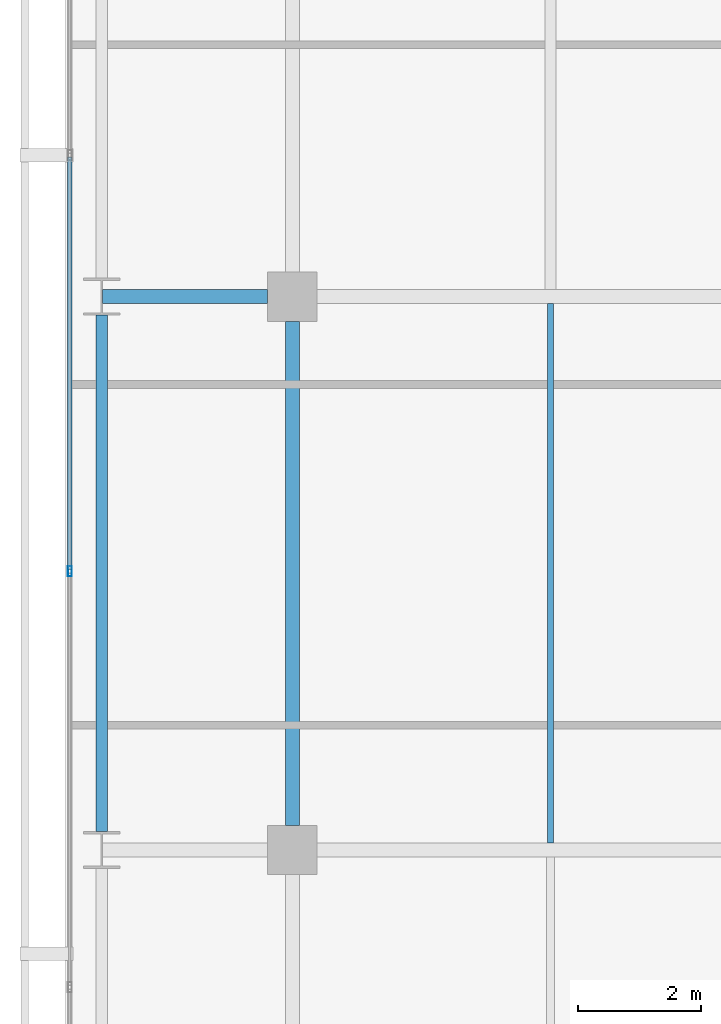
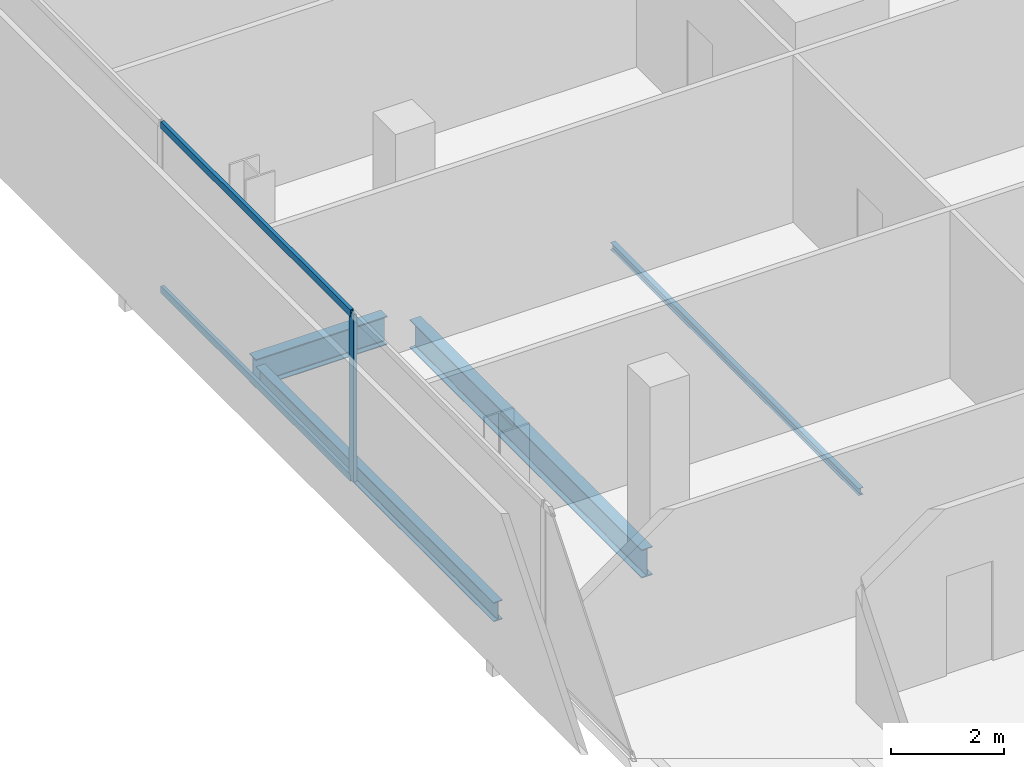
# One storey, part 8 of 33: 4 beams, 3 members, 1 element without a shape of its own.
"""IFC4 building model written with IfcOpenShell, lengths in metres."""

import ifcopenshell
import ifcopenshell.guid

model = None  # the IFC model being written
_history = None  # IfcOwnerHistory: only IFC2X3 demands one
_inside = {}  # id of a spatial element -> (the spatial element, [elements in it])
_under = {}  # id of a project, library or spatial element -> (it, [spatial elements below it])
_declared = {}  # id of a project -> (the project, [libraries it declares])
_typed = {}  # id of a type object -> (the type object, [elements of that type])
_made_of = {}  # id of a material, layer set ... -> (it, [elements and type objects made of it])


def new_model(schema):
    """Start an empty IFC model of exactly this schema.

    Asked for "IFC4X3", IfcOpenShell would pick the latest addendum, in which some entities
    have other attributes; the version numbers below select the first issue.
    IFC2X3 requires an IfcOwnerHistory on every rooted entity: one is made here for all.
    """
    global model, _history
    if schema == "IFC4X3":
        model = ifcopenshell.file(schema_version=(4, 3, 0, 0))
    else:
        model = ifcopenshell.file(schema=schema)
    _inside.clear()
    _under.clear()
    _declared.clear()
    _typed.clear()
    _made_of.clear()
    _history = None
    if model.schema == "IFC2X3":
        org = make("IfcOrganization", Name="unknown")
        user = make(
            "IfcPersonAndOrganization",
            ThePerson=make("IfcPerson", FamilyName="unknown"),
            TheOrganization=org,
        )
        app = make(
            "IfcApplication",
            ApplicationDeveloper=org,
            Version="unknown",
            ApplicationFullName="unknown",
            ApplicationIdentifier="unknown",
        )
        _history = make(
            "IfcOwnerHistory",
            OwningUser=user,
            OwningApplication=app,
            ChangeAction="ADDED",
            CreationDate=0,
        )
    return model


def make(cls, **values):
    """One entity of the class cls with the attributes given. An attribute that is None is left unset."""
    return model.create_entity(
        cls, **{name: value for name, value in values.items() if value is not None}
    )


def rooted(cls, **values):
    """An entity with a GlobalId (a new one), such as an element, a storey or a relation."""
    return make(cls, GlobalId=ifcopenshell.guid.new(), OwnerHistory=_history, **values)


def si_unit(unit_type, name, prefix=None):
    """IfcSIUnit, for example si_unit("LENGTHUNIT", "METRE", prefix="MILLI")."""
    return make("IfcSIUnit", UnitType=unit_type, Prefix=prefix, Name=name)


def assignment(units):
    """IfcUnitAssignment: the units of a project."""
    return None if units is None else make("IfcUnitAssignment", Units=units)


def point(xyz):
    """IfcCartesianPoint."""
    return None if xyz is None else make("IfcCartesianPoint", Coordinates=xyz)


def direction(xyz):
    """IfcDirection."""
    return None if xyz is None else make("IfcDirection", DirectionRatios=xyz)


def frame(location, z_axis=None, x_axis=None):
    """IfcAxis2Placement3D, a coordinate frame: its origin and axes. An axis left out is left unset."""
    return make(
        "IfcAxis2Placement3D",
        Location=point(location),
        Axis=direction(z_axis),
        RefDirection=direction(x_axis),
    )


def frame_2d(location, x_axis=None):
    """IfcAxis2Placement2D, a coordinate frame in the plane: its origin and x axis."""
    return make(
        "IfcAxis2Placement2D", Location=point(location), RefDirection=direction(x_axis)
    )


def origin():
    """The frame at (0, 0, 0) with its axes left unset."""
    return frame((0.0, 0.0, 0.0))


def origin_2d():
    """The frame at (0, 0) in the plane with its x axis left unset."""
    return frame_2d((0.0, 0.0))


def place(relative_to, where):
    """IfcLocalPlacement: puts the frame where relative to a parent placement (None: the world)."""
    return make(
        "IfcLocalPlacement", PlacementRelTo=relative_to, RelativePlacement=where
    )


def context(
    kind, dimensions, precision=None, world=None, true_north=None, identifier=None
):
    """IfcGeometricRepresentationContext, for example the 3D "Model" context."""
    return make(
        "IfcGeometricRepresentationContext",
        ContextIdentifier=identifier,
        ContextType=kind,
        CoordinateSpaceDimension=dimensions,
        Precision=precision,
        WorldCoordinateSystem=world,
        TrueNorth=true_north,
    )


def subcontext(parent, identifier, kind, view, scale=None):
    """IfcGeometricRepresentationSubContext, for example "Body" below "Model"."""
    return make(
        "IfcGeometricRepresentationSubContext",
        ContextIdentifier=identifier,
        ContextType=kind,
        ParentContext=parent,
        TargetScale=scale,
        TargetView=view,
    )


def project(units=None, contexts=None):
    """IfcProject with its units and contexts."""
    return rooted(
        "IfcProject",
        Name="project",
        RepresentationContexts=contexts,
        UnitsInContext=assignment(units),
    )


def spatial(cls, under=None, at=None, **own):
    """A site, building, storey or space (cls), placed at a placement, below another one or the project."""
    s = rooted(cls, ObjectPlacement=at, **own)
    if under is not None:
        _under.setdefault(under.id(), (under, []))[1].append(s)
    return s


def profile(cls, at=None, kind="AREA", **sizes):
    """A parametric profile (cls). Its sizes go by their IFC names, for example OverallWidth=200.0."""
    return make(cls, ProfileType=kind, Position=at, **sizes)


def hollow_rectangle(**sizes):
    """IfcRectangleHollowProfileDef."""
    return profile("IfcRectangleHollowProfileDef", **sizes)


def i_section(**sizes):
    """IfcIShapeProfileDef."""
    return profile("IfcIShapeProfileDef", **sizes)


def extrude(swept, where, along, depth):
    """IfcExtrudedAreaSolid: the profile swept, set in the frame where, extruded along a direction by depth."""
    return make(
        "IfcExtrudedAreaSolid",
        SweptArea=swept,
        Position=where,
        ExtrudedDirection=direction(along),
        Depth=depth,
    )


def shape(context_of_items, identifier, shape_type, items):
    """IfcShapeRepresentation: the items that make up one representation, for example the "Body"."""
    return make(
        "IfcShapeRepresentation",
        ContextOfItems=context_of_items,
        RepresentationIdentifier=identifier,
        RepresentationType=shape_type,
        Items=items,
    )


def material(Name=None, Category=None):
    """IfcMaterial."""
    return make("IfcMaterial", Name=Name, Category=Category)


def layer(
    of_material, thickness, ventilated=None, Name=None, Category=None, Priority=None
):
    """IfcMaterialLayer: one layer of a wall or slab, of a material (None: an air gap)."""
    return make(
        "IfcMaterialLayer",
        Material=of_material,
        LayerThickness=thickness,
        IsVentilated=ventilated,
        Name=Name,
        Category=Category,
        Priority=Priority,
    )


def layer_set(layers, Name=None):
    """IfcMaterialLayerSet."""
    return make("IfcMaterialLayerSet", MaterialLayers=layers, LayerSetName=Name)


def material_profile(
    of_material, cross_section, Name=None, Category=None, Priority=None
):
    """IfcMaterialProfile: a cross section and its material."""
    return make(
        "IfcMaterialProfile",
        Name=Name,
        Material=of_material,
        Profile=cross_section,
        Priority=Priority,
        Category=Category,
    )


def profile_set(profiles, Name=None, composite=None):
    """IfcMaterialProfileSet."""
    return make(
        "IfcMaterialProfileSet",
        Name=Name,
        MaterialProfiles=profiles,
        CompositeProfile=composite,
    )


def made_of(thing, what):
    """Note that an element or type object is made of a material, layer set ...; save() writes the relation."""
    if what is not None:
        _made_of.setdefault(what.id(), (what, []))[1].append(thing)
    return thing


def type_object(cls, material=None, **own):
    """A type object (cls), such as IfcWallType, which elements share."""
    return made_of(rooted(cls, **own), material)


def element(
    cls,
    number,
    at=None,
    inside=None,
    cuts=None,
    type_object=None,
    material=None,
    context=None,
    identifier="Body",
    shape_type=None,
    held_by="IfcProductDefinitionShape",
    body=None,
    shapes=None,
    **own,
):
    """One element of the class cls, such as IfcWall. Its Tag is "e" and its number.

    at: its placement. inside: the storey or other place that contains it. cuts: it is an
    opening in that element (IfcRelVoidsElement). A single representation is given by context,
    identifier, shape_type and body (its items); several are given by shapes. held_by: the class
    of the entity that holds the representations. save() writes the other relations.
    """
    e = rooted(cls, Tag="e%d" % number, ObjectPlacement=at, **own)
    if body is not None:
        shapes = [shape(context, identifier, shape_type, body)]
    if shapes is not None:
        e.Representation = make(held_by, Representations=shapes)
    if inside is not None:
        _inside.setdefault(inside.id(), (inside, []))[1].append(e)
    if cuts is not None:
        rooted(
            "IfcRelVoidsElement", RelatingBuildingElement=cuts, RelatedOpeningElement=e
        )
    if type_object is not None:
        _typed.setdefault(type_object.id(), (type_object, []))[1].append(e)
    return made_of(e, material)


def aggregate(whole, parts):
    """IfcRelAggregates: a whole, such as a stair, and the parts it consists of."""
    return rooted("IfcRelAggregates", RelatingObject=whole, RelatedObjects=parts)


def save(model, path):
    """Write the relations noted so far, then the file.

    IfcRelAggregates (storeys below a building ...), IfcRelContainedInSpatialStructure (elements
    in a storey), IfcRelDefinesByType, IfcRelAssociatesMaterial and IfcRelDeclares: one each for
    every whole, place, type object, material and project.
    """
    for whole, parts in _under.values():
        aggregate(whole, parts)
    for where, things in _inside.values():
        rooted(
            "IfcRelContainedInSpatialStructure",
            RelatedElements=things,
            RelatingStructure=where,
        )
    for kind, things in _typed.values():
        rooted("IfcRelDefinesByType", RelatedObjects=things, RelatingType=kind)
    for what, things in _made_of.values():
        rooted("IfcRelAssociatesMaterial", RelatedObjects=things, RelatingMaterial=what)
    for by, libraries in _declared.values():
        rooted("IfcRelDeclares", RelatingContext=by, RelatedDefinitions=libraries)
    model.write(path)


model = new_model("IFC4")

# Units and contexts
model_context = context("Model", 3, precision=1e-05, world=origin(), true_north=direction((0.0, 1.0)))
body_context = subcontext(model_context, "Body", "Model", "MODEL_VIEW")
ifc_project = project(units=[si_unit("LENGTHUNIT", "METRE"), si_unit("AREAUNIT", "SQUARE_METRE"), si_unit("VOLUMEUNIT", "CUBIC_METRE"), si_unit("PLANEANGLEUNIT", "RADIAN"), si_unit("MASSUNIT", "GRAM", prefix="KILO")], contexts=[model_context])

# Site, building, storey
site_placement = place(None, origin())
site = spatial("IfcSite", under=ifc_project, at=site_placement, CompositionType="ELEMENT")
building_placement = place(site_placement, origin())
building = spatial("IfcBuilding", under=site, at=building_placement, Name="Maruvema Waterfront Hotel and Observation Tower", CompositionType="ELEMENT")
storey_placement = place(building_placement, frame((0.0, 0.0, 154.35009765625)))
storey = spatial("IfcBuildingStorey", under=building, at=storey_placement, Name="L37", CompositionType="ELEMENT", Elevation=154.35009765625)

# Curtain wall, members
ifc_material_1 = material(Name="Anodised bronze aluminium and solar-control low-E IGU", Category="aluminium")
ifc_layer = layer(ifc_material_1, 0.159912109375, Name="Zone 2 Amber Inner Thermal Curtain Wall System CW-03")
ifc_layer_set = layer_set([ifc_layer], Name="Anodised bronze aluminium and solar-control low-E IGU")
curtain_wall_type = type_object("IfcCurtainWallType", Name="Zone 2 Amber Inner Thermal Curtain Wall System CW-03", PredefinedType="USERDEFINED", material=ifc_layer_set)
curtain_wall_placement = place(storey_placement, origin())
curtain_wall = element("IfcCurtainWall", 1, at=curtain_wall_placement, inside=storey, type_object=curtain_wall_type, Name="L37 Curtain Wall CW-L37-W", ObjectType="UNITISED CURTAIN WALL", PredefinedType="USERDEFINED")
ifc_material_2 = material(Name="Anodised architectural bronze aluminium", Category="aluminium")
ifc_material_profile_1 = material_profile(ifc_material_2, hollow_rectangle(XDim=0.070068359375, YDim=0.14990234375, WallThickness=0.00390625, at=origin_2d()), Name="ALU-T70x150")
ifc_profile_set_1 = profile_set([ifc_material_profile_1], Name="Anodised architectural bronze aluminium")
member_type_1 = type_object("IfcMemberType", Name="Curtain Wall Horizontal Transom ALU-T70x150", PredefinedType="USERDEFINED", material=ifc_profile_set_1)
member_1_placement = place(storey_placement, frame((13.179931640625, 29.27001953125, 0.02978515625), z_axis=(0.0, -1.0, 0.0), x_axis=(1.0, 0.0, 0.0)))
member_1 = element("IfcMember", 2, at=member_1_placement, type_object=member_type_1, Name="CW-03 transom 4.1", ObjectType="TRANSOM", PredefinedType="USERDEFINED", context=body_context, shape_type="SweptSolid", body=[
    extrude(hollow_rectangle(XDim=0.070068359375, YDim=0.14990234375, WallThickness=0.00390625, at=origin_2d()), origin(), (0.0, 0.0, 1.0), 6.706787109375),
])
member_2_placement = place(storey_placement, frame((13.179931640625, 29.27001953125, 3.579833984375), z_axis=(0.0, -1.0, 0.0), x_axis=(1.0, 0.0, 0.0)))
member_2 = element("IfcMember", 3, at=member_2_placement, type_object=member_type_1, Name="CW-03 transom 4.2", ObjectType="TRANSOM", PredefinedType="USERDEFINED", context=body_context, shape_type="SweptSolid", body=[
    extrude(hollow_rectangle(XDim=0.070068359375, YDim=0.14990234375, WallThickness=0.00390625, at=origin_2d()), origin(), (0.0, 0.0, 1.0), 6.706787109375),
])
ifc_material_3 = material(Name="Anodised architectural bronze aluminium", Category="aluminium")
ifc_material_profile_2 = material_profile(ifc_material_3, hollow_rectangle(XDim=0.06494140625, YDim=0.1650390625, WallThickness=0.00390625, at=origin_2d()), Name="ALU-M65x165")
ifc_profile_set_2 = profile_set([ifc_material_profile_2], Name="Anodised architectural bronze aluminium")
member_type_2 = type_object("IfcMemberType", Name="Curtain Wall Primary Mullion ALU-M65x165", PredefinedType="MULLION", material=ifc_profile_set_2)
member_3_placement = place(storey_placement, frame((13.179931640625, 22.533447265625, 0.0), z_axis=(0.0, 0.0, 1.0), x_axis=(1.0, 0.0, 0.0)))
member_3 = element("IfcMember", 4, at=member_3_placement, type_object=member_type_2, Name="CW-03 mullion 5", PredefinedType="MULLION", context=body_context, shape_type="SweptSolid", body=[
    extrude(hollow_rectangle(XDim=0.06494140625, YDim=0.1650390625, WallThickness=0.00390625, at=origin_2d()), origin(), (0.0, 0.0, 1.0), 3.60986328125),
])
aggregate(curtain_wall, [member_3, member_1, member_2])

# Beams
ifc_material_4 = material(Name="Steel ASTM A572 Grade 50", Category="steel")
ifc_material_profile_3 = material_profile(ifc_material_4, i_section(OverallWidth=0.180908203125, OverallDepth=0.4169921875, WebThickness=0.010986328125, FlangeThickness=0.018310546875, FilletRadius=0.014892578125, at=origin_2d()), Name="W410x85.0")
ifc_profile_set_3 = profile_set([ifc_material_profile_3], Name="Steel ASTM A572 Grade 50")
beam_type_1 = type_object("IfcBeamType", Name="Perimeter Spandrel Beam W410x85.0", PredefinedType="SPANDREL", material=ifc_profile_set_3)
beam_1_placement = place(storey_placement, frame((13.699951171875, 18.300048828125, -0.448486328125), z_axis=(0.0, 1.0, 0.0), x_axis=(-1.0, 0.0, 0.0)))
element("IfcBeam", 5, at=beam_1_placement, inside=storey, type_object=beam_type_1, Name="L37 Floor Girder NS-02", PredefinedType="SPANDREL", context=body_context, shape_type="SweptSolid", body=[
    extrude(i_section(OverallWidth=0.180908203125, OverallDepth=0.4169921875, WebThickness=0.010986328125, FlangeThickness=0.018310546875, FilletRadius=0.014892578125, at=origin_2d()), origin(), (0.0, 0.0, 1.0), 8.39990234375),
])
ifc_material_5 = material(Name="Steel ASTM A572 Grade 50", Category="steel")
ifc_material_profile_4 = material_profile(ifc_material_5, i_section(OverallWidth=0.22900390625, OverallDepth=0.612060546875, WebThickness=0.011962890625, FlangeThickness=0.01953125, FilletRadius=0.01806640625, at=origin_2d()), Name="W610x125.0")
ifc_profile_set_4 = profile_set([ifc_material_profile_4], Name="Steel ASTM A572 Grade 50")
beam_type_2 = type_object("IfcBeamType", Name="Primary Floor Girder W610x125.0", PredefinedType="BEAM", material=ifc_profile_set_4)
beam_2_placement = place(storey_placement, frame((13.71240234375, 27.0, -0.546142578125), z_axis=(1.0, 0.0, 0.0), x_axis=(0.0, 1.0, 0.0)))
element("IfcBeam", 6, at=beam_2_placement, inside=storey, type_object=beam_type_2, Name="L37 Floor Girder EW-18", PredefinedType="BEAM", context=body_context, shape_type="SweptSolid", body=[
    extrude(i_section(OverallWidth=0.22900390625, OverallDepth=0.612060546875, WebThickness=0.011962890625, FlangeThickness=0.01953125, FilletRadius=0.01806640625, at=origin_2d()), origin(), (0.0, 0.0, 1.0), 2.6875),
])
beam_3_placement = place(storey_placement, frame((16.800048828125, 18.39990234375, -0.546142578125), z_axis=(0.0, 1.0, 0.0), x_axis=(-1.0, 0.0, 0.0)))
element("IfcBeam", 7, at=beam_3_placement, inside=storey, type_object=beam_type_2, Name="L37 Floor Girder NS-06", PredefinedType="BEAM", context=body_context, shape_type="SweptSolid", body=[
    extrude(i_section(OverallWidth=0.22900390625, OverallDepth=0.612060546875, WebThickness=0.011962890625, FlangeThickness=0.01953125, FilletRadius=0.01806640625, at=origin_2d()), origin(), (0.0, 0.0, 1.0), 8.2001953125),
])
ifc_material_6 = material(Name="Steel ASTM A572 Grade 50", Category="steel")
ifc_material_profile_5 = material_profile(ifc_material_6, i_section(OverallWidth=0.10009765625, OverallDepth=0.153076171875, WebThickness=0.005859375, FlangeThickness=0.007080078125, FilletRadius=0.008056640625, at=origin_2d()), Name="W150x18.0")
ifc_profile_set_5 = profile_set([ifc_material_profile_5], Name="Steel ASTM A572 Grade 50")
beam_type_3 = type_object("IfcBeamType", Name="Secondary Floor Joist W150x18.0", PredefinedType="JOIST", material=ifc_profile_set_5)
beam_4_placement = place(storey_placement, frame((21.0, 18.114501953125, -0.316650390625), z_axis=(0.0, 1.0, 0.0), x_axis=(-1.0, 0.0, 0.0)))
element("IfcBeam", 8, at=beam_4_placement, inside=storey, type_object=beam_type_3, Name="L37 Secondary Floor Joist JS-02", PredefinedType="JOIST", context=body_context, shape_type="SweptSolid", body=[
    extrude(i_section(OverallWidth=0.10009765625, OverallDepth=0.153076171875, WebThickness=0.005859375, FlangeThickness=0.007080078125, FilletRadius=0.008056640625, at=origin_2d()), origin(), (0.0, 0.0, 1.0), 8.77099609375),
])

save(model, "model.ifc")
